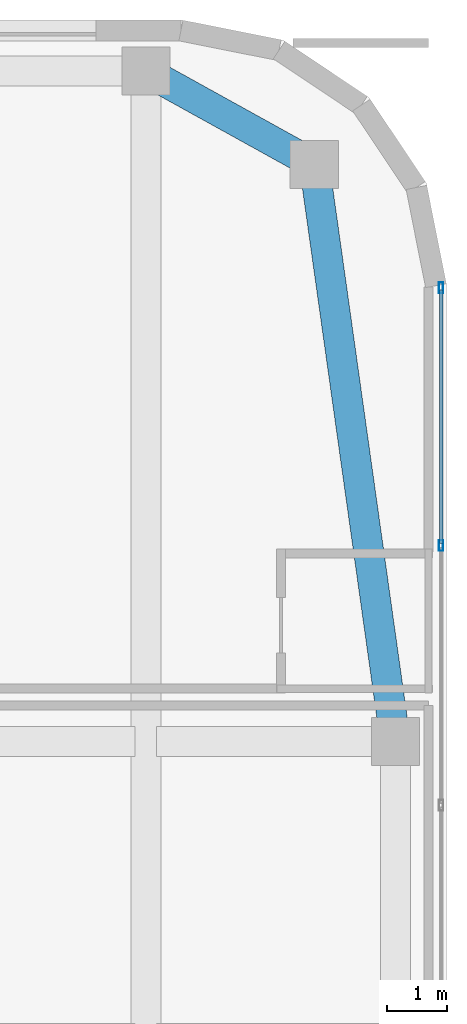
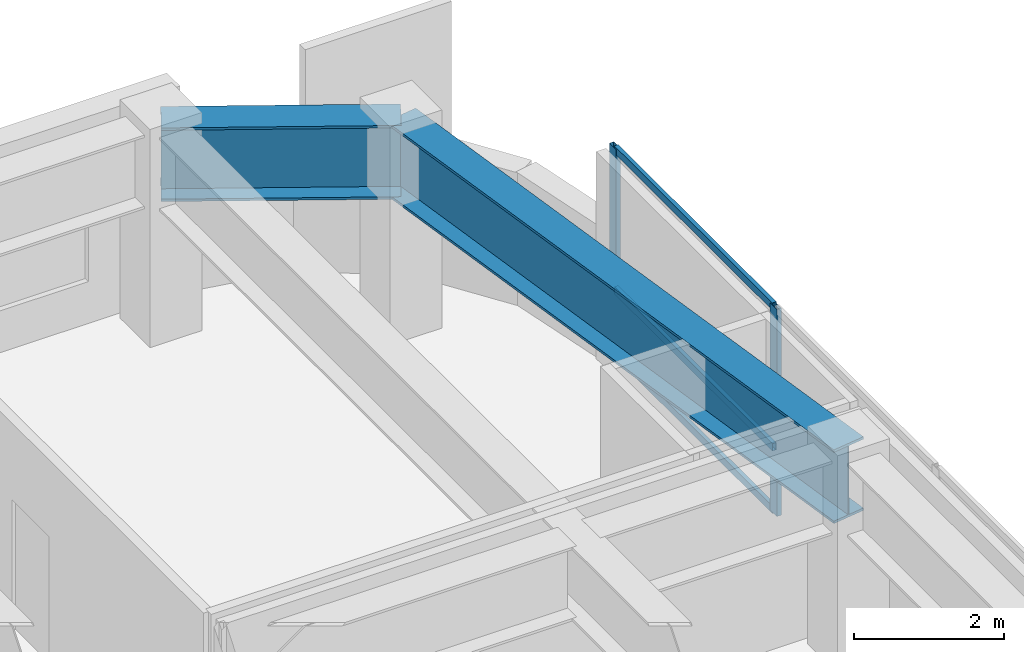
# One storey, part 10 of 20: 5 members, 2 beams, 1 element without a shape of its own.
"""IFC4 building model written with IfcOpenShell, lengths in metres."""

import ifcopenshell
import ifcopenshell.guid

model = None  # the IFC model being written
_history = None  # IfcOwnerHistory: only IFC2X3 demands one
_inside = {}  # id of a spatial element -> (the spatial element, [elements in it])
_under = {}  # id of a project, library or spatial element -> (it, [spatial elements below it])
_declared = {}  # id of a project -> (the project, [libraries it declares])
_typed = {}  # id of a type object -> (the type object, [elements of that type])
_made_of = {}  # id of a material, layer set ... -> (it, [elements and type objects made of it])


def new_model(schema):
    """Start an empty IFC model of exactly this schema.

    Asked for "IFC4X3", IfcOpenShell would pick the latest addendum, in which some entities
    have other attributes; the version numbers below select the first issue.
    IFC2X3 requires an IfcOwnerHistory on every rooted entity: one is made here for all.
    """
    global model, _history
    if schema == "IFC4X3":
        model = ifcopenshell.file(schema_version=(4, 3, 0, 0))
    else:
        model = ifcopenshell.file(schema=schema)
    _inside.clear()
    _under.clear()
    _declared.clear()
    _typed.clear()
    _made_of.clear()
    _history = None
    if model.schema == "IFC2X3":
        org = make("IfcOrganization", Name="unknown")
        user = make(
            "IfcPersonAndOrganization",
            ThePerson=make("IfcPerson", FamilyName="unknown"),
            TheOrganization=org,
        )
        app = make(
            "IfcApplication",
            ApplicationDeveloper=org,
            Version="unknown",
            ApplicationFullName="unknown",
            ApplicationIdentifier="unknown",
        )
        _history = make(
            "IfcOwnerHistory",
            OwningUser=user,
            OwningApplication=app,
            ChangeAction="ADDED",
            CreationDate=0,
        )
    return model


def make(cls, **values):
    """One entity of the class cls with the attributes given. An attribute that is None is left unset."""
    return model.create_entity(
        cls, **{name: value for name, value in values.items() if value is not None}
    )


def rooted(cls, **values):
    """An entity with a GlobalId (a new one), such as an element, a storey or a relation."""
    return make(cls, GlobalId=ifcopenshell.guid.new(), OwnerHistory=_history, **values)


def si_unit(unit_type, name, prefix=None):
    """IfcSIUnit, for example si_unit("LENGTHUNIT", "METRE", prefix="MILLI")."""
    return make("IfcSIUnit", UnitType=unit_type, Prefix=prefix, Name=name)


def assignment(units):
    """IfcUnitAssignment: the units of a project."""
    return None if units is None else make("IfcUnitAssignment", Units=units)


def point(xyz):
    """IfcCartesianPoint."""
    return None if xyz is None else make("IfcCartesianPoint", Coordinates=xyz)


def direction(xyz):
    """IfcDirection."""
    return None if xyz is None else make("IfcDirection", DirectionRatios=xyz)


def frame(location, z_axis=None, x_axis=None):
    """IfcAxis2Placement3D, a coordinate frame: its origin and axes. An axis left out is left unset."""
    return make(
        "IfcAxis2Placement3D",
        Location=point(location),
        Axis=direction(z_axis),
        RefDirection=direction(x_axis),
    )


def frame_2d(location, x_axis=None):
    """IfcAxis2Placement2D, a coordinate frame in the plane: its origin and x axis."""
    return make(
        "IfcAxis2Placement2D", Location=point(location), RefDirection=direction(x_axis)
    )


def origin():
    """The frame at (0, 0, 0) with its axes left unset."""
    return frame((0.0, 0.0, 0.0))


def origin_2d():
    """The frame at (0, 0) in the plane with its x axis left unset."""
    return frame_2d((0.0, 0.0))


def place(relative_to, where):
    """IfcLocalPlacement: puts the frame where relative to a parent placement (None: the world)."""
    return make(
        "IfcLocalPlacement", PlacementRelTo=relative_to, RelativePlacement=where
    )


def context(
    kind, dimensions, precision=None, world=None, true_north=None, identifier=None
):
    """IfcGeometricRepresentationContext, for example the 3D "Model" context."""
    return make(
        "IfcGeometricRepresentationContext",
        ContextIdentifier=identifier,
        ContextType=kind,
        CoordinateSpaceDimension=dimensions,
        Precision=precision,
        WorldCoordinateSystem=world,
        TrueNorth=true_north,
    )


def subcontext(parent, identifier, kind, view, scale=None):
    """IfcGeometricRepresentationSubContext, for example "Body" below "Model"."""
    return make(
        "IfcGeometricRepresentationSubContext",
        ContextIdentifier=identifier,
        ContextType=kind,
        ParentContext=parent,
        TargetScale=scale,
        TargetView=view,
    )


def project(units=None, contexts=None):
    """IfcProject with its units and contexts."""
    return rooted(
        "IfcProject",
        Name="project",
        RepresentationContexts=contexts,
        UnitsInContext=assignment(units),
    )


def spatial(cls, under=None, at=None, **own):
    """A site, building, storey or space (cls), placed at a placement, below another one or the project."""
    s = rooted(cls, ObjectPlacement=at, **own)
    if under is not None:
        _under.setdefault(under.id(), (under, []))[1].append(s)
    return s


def profile(cls, at=None, kind="AREA", **sizes):
    """A parametric profile (cls). Its sizes go by their IFC names, for example OverallWidth=200.0."""
    return make(cls, ProfileType=kind, Position=at, **sizes)


def hollow_rectangle(**sizes):
    """IfcRectangleHollowProfileDef."""
    return profile("IfcRectangleHollowProfileDef", **sizes)


def i_section(**sizes):
    """IfcIShapeProfileDef."""
    return profile("IfcIShapeProfileDef", **sizes)


def extrude(swept, where, along, depth):
    """IfcExtrudedAreaSolid: the profile swept, set in the frame where, extruded along a direction by depth."""
    return make(
        "IfcExtrudedAreaSolid",
        SweptArea=swept,
        Position=where,
        ExtrudedDirection=direction(along),
        Depth=depth,
    )


def shape(context_of_items, identifier, shape_type, items):
    """IfcShapeRepresentation: the items that make up one representation, for example the "Body"."""
    return make(
        "IfcShapeRepresentation",
        ContextOfItems=context_of_items,
        RepresentationIdentifier=identifier,
        RepresentationType=shape_type,
        Items=items,
    )


def source(mapping_origin, context_of_items, identifier, shape_type, items):
    """IfcRepresentationMap: a shape defined once, which mapped items show again and again."""
    return make(
        "IfcRepresentationMap",
        MappingOrigin=mapping_origin,
        MappedRepresentation=shape(context_of_items, identifier, shape_type, items),
    )


def transform(
    local_origin,
    x_axis=None,
    y_axis=None,
    z_axis=None,
    scale=None,
    scale2=None,
    scale3=None,
    uniform=True,
):
    """IfcCartesianTransformationOperator3D, or its non-uniform kind. x_axis, y_axis, z_axis: its Axis1, 2, 3."""
    if uniform:
        return make(
            "IfcCartesianTransformationOperator3D",
            Axis1=direction(x_axis),
            Axis2=direction(y_axis),
            LocalOrigin=point(local_origin),
            Scale=scale,
            Axis3=direction(z_axis),
        )
    return make(
        "IfcCartesianTransformationOperator3DnonUniform",
        Axis1=direction(x_axis),
        Axis2=direction(y_axis),
        LocalOrigin=point(local_origin),
        Scale=scale,
        Axis3=direction(z_axis),
        Scale2=scale2,
        Scale3=scale3,
    )


def mapped(mapping_source, mapping_target):
    """IfcMappedItem: shows the shape of a source again, moved by a transform."""
    return make(
        "IfcMappedItem", MappingSource=mapping_source, MappingTarget=mapping_target
    )


def material(Name=None, Category=None):
    """IfcMaterial."""
    return make("IfcMaterial", Name=Name, Category=Category)


def layer(
    of_material, thickness, ventilated=None, Name=None, Category=None, Priority=None
):
    """IfcMaterialLayer: one layer of a wall or slab, of a material (None: an air gap)."""
    return make(
        "IfcMaterialLayer",
        Material=of_material,
        LayerThickness=thickness,
        IsVentilated=ventilated,
        Name=Name,
        Category=Category,
        Priority=Priority,
    )


def layer_set(layers, Name=None):
    """IfcMaterialLayerSet."""
    return make("IfcMaterialLayerSet", MaterialLayers=layers, LayerSetName=Name)


def material_profile(
    of_material, cross_section, Name=None, Category=None, Priority=None
):
    """IfcMaterialProfile: a cross section and its material."""
    return make(
        "IfcMaterialProfile",
        Name=Name,
        Material=of_material,
        Profile=cross_section,
        Priority=Priority,
        Category=Category,
    )


def profile_set(profiles, Name=None, composite=None):
    """IfcMaterialProfileSet."""
    return make(
        "IfcMaterialProfileSet",
        Name=Name,
        MaterialProfiles=profiles,
        CompositeProfile=composite,
    )


def made_of(thing, what):
    """Note that an element or type object is made of a material, layer set ...; save() writes the relation."""
    if what is not None:
        _made_of.setdefault(what.id(), (what, []))[1].append(thing)
    return thing


def type_object(cls, material=None, **own):
    """A type object (cls), such as IfcWallType, which elements share."""
    return made_of(rooted(cls, **own), material)


def type_shapes(of_type, sources):
    """Give a type object the sources (RepresentationMaps) that its elements show as mapped items."""
    of_type.RepresentationMaps = sources


def element(
    cls,
    number,
    at=None,
    inside=None,
    cuts=None,
    type_object=None,
    material=None,
    context=None,
    identifier="Body",
    shape_type=None,
    held_by="IfcProductDefinitionShape",
    body=None,
    shapes=None,
    **own,
):
    """One element of the class cls, such as IfcWall. Its Tag is "e" and its number.

    at: its placement. inside: the storey or other place that contains it. cuts: it is an
    opening in that element (IfcRelVoidsElement). A single representation is given by context,
    identifier, shape_type and body (its items); several are given by shapes. held_by: the class
    of the entity that holds the representations. save() writes the other relations.
    """
    e = rooted(cls, Tag="e%d" % number, ObjectPlacement=at, **own)
    if body is not None:
        shapes = [shape(context, identifier, shape_type, body)]
    if shapes is not None:
        e.Representation = make(held_by, Representations=shapes)
    if inside is not None:
        _inside.setdefault(inside.id(), (inside, []))[1].append(e)
    if cuts is not None:
        rooted(
            "IfcRelVoidsElement", RelatingBuildingElement=cuts, RelatedOpeningElement=e
        )
    if type_object is not None:
        _typed.setdefault(type_object.id(), (type_object, []))[1].append(e)
    return made_of(e, material)


def aggregate(whole, parts):
    """IfcRelAggregates: a whole, such as a stair, and the parts it consists of."""
    return rooted("IfcRelAggregates", RelatingObject=whole, RelatedObjects=parts)


def save(model, path):
    """Write the relations noted so far, then the file.

    IfcRelAggregates (storeys below a building ...), IfcRelContainedInSpatialStructure (elements
    in a storey), IfcRelDefinesByType, IfcRelAssociatesMaterial and IfcRelDeclares: one each for
    every whole, place, type object, material and project.
    """
    for whole, parts in _under.values():
        aggregate(whole, parts)
    for where, things in _inside.values():
        rooted(
            "IfcRelContainedInSpatialStructure",
            RelatedElements=things,
            RelatingStructure=where,
        )
    for kind, things in _typed.values():
        rooted("IfcRelDefinesByType", RelatedObjects=things, RelatingType=kind)
    for what, things in _made_of.values():
        rooted("IfcRelAssociatesMaterial", RelatedObjects=things, RelatingMaterial=what)
    for by, libraries in _declared.values():
        rooted("IfcRelDeclares", RelatingContext=by, RelatedDefinitions=libraries)
    model.write(path)


model = new_model("IFC4")

# Units and contexts
model_context = context("Model", 3, precision=1e-05, world=origin(), true_north=direction((0.0, 1.0)))
body_context = subcontext(model_context, "Body", "Model", "MODEL_VIEW")
ifc_project = project(units=[si_unit("LENGTHUNIT", "METRE"), si_unit("AREAUNIT", "SQUARE_METRE"), si_unit("VOLUMEUNIT", "CUBIC_METRE"), si_unit("PLANEANGLEUNIT", "RADIAN"), si_unit("MASSUNIT", "GRAM", prefix="KILO")], contexts=[model_context])

# Site, building, storey
site_placement = place(None, origin())
site = spatial("IfcSite", under=ifc_project, at=site_placement, CompositionType="ELEMENT")
building_placement = place(site_placement, origin())
building = spatial("IfcBuilding", under=site, at=building_placement, Name="Tolvann Quenvar Hotel", CompositionType="ELEMENT")
storey_placement = place(building_placement, frame((0.0, 0.0, 171.89990234375)))
storey = spatial("IfcBuildingStorey", under=building, at=storey_placement, Name="L45", CompositionType="ELEMENT", Elevation=171.89990234375)

# Beams
ifc_material_1 = material(Name="Steel Grade 350", Category="steel")
ifc_material_profile_1 = material_profile(ifc_material_1, i_section(OverallWidth=0.5, OverallDepth=1.199951171875, WebThickness=0.01611328125, FlangeThickness=0.0400390625, at=origin_2d()), Name="1200WB455")
ifc_profile_set_1 = profile_set([ifc_material_profile_1], Name="Steel Grade 350")
beam_type = type_object("IfcBeamType", Name="BM_TG_1200WB455", PredefinedType="USERDEFINED", material=ifc_profile_set_1)
shared_shape_1 = source(origin(), body_context, "Body", "SweptSolid", [
    extrude(i_section(OverallWidth=0.5, OverallDepth=1.199951171875, WebThickness=0.01611328125, FlangeThickness=0.0400390625, at=origin_2d()), origin(), (0.0, 0.0, 1.0), 9.694580078125),
])
beam_1_placement = place(storey_placement, frame((53.550048828125, 34.0, 2.77001953125), z_axis=(-0.139263320262, 0.990255385055, 0.0), x_axis=(-0.990255385055, -0.139263320262, 0.0)))
element("IfcBeam", 1, at=beam_1_placement, inside=storey, type_object=beam_type, Name="BM-L45-FLK-E2", ObjectType="TRANSFER GIRDER", PredefinedType="USERDEFINED", context=body_context, shape_type="MappedRepresentation", body=[
    mapped(shared_shape_1, transform((0.0, 0.0, 0.0), x_axis=(1.0, 0.0, 0.0), y_axis=(0.0, 1.0, 0.0), z_axis=(0.0, 0.0, 1.0), scale=1.0)),
])
shared_shape_2 = source(origin(), body_context, "Body", "SweptSolid", [
    extrude(i_section(OverallWidth=0.5, OverallDepth=1.199951171875, WebThickness=0.01611328125, FlangeThickness=0.0400390625, at=origin_2d()), origin(), (0.0, 0.0, 1.0), 3.200439453125),
])
type_shapes(beam_type, [shared_shape_1, shared_shape_2])
beam_2_placement = place(storey_placement, frame((52.199951171875, 43.60009765625, 2.77001953125), z_axis=(-0.87492264453, 0.48426270359, 0.0), x_axis=(-0.48426270359, -0.87492264453, 0.0)))
element("IfcBeam", 2, at=beam_2_placement, inside=storey, type_object=beam_type, Name="BM-L45-FLK-E3", ObjectType="TRANSFER GIRDER", PredefinedType="USERDEFINED", context=body_context, shape_type="MappedRepresentation", body=[
    mapped(shared_shape_2, transform((0.0, 0.0, 0.0), x_axis=(1.0, 0.0, 0.0), y_axis=(0.0, 1.0, 0.0), z_axis=(0.0, 0.0, 1.0), scale=1.0)),
])

# Curtain wall, members
ifc_material_2 = material(Name="Thermally broken anodised architectural aluminium 6063-T6 and laminated low-E glass", Category="aluminium")
ifc_layer = layer(ifc_material_2, 0.179931640625)
ifc_layer_set = layer_set([ifc_layer], Name="Thermally broken anodised architectural aluminium 6063-T6 and laminated low-E glass")
curtain_wall_type = type_object("IfcCurtainWallType", Name="CW_SYS_BAND_04", PredefinedType="USERDEFINED", material=ifc_layer_set)
curtain_wall_placement = place(storey_placement, origin())
curtain_wall = element("IfcCurtainWall", 3, at=curtain_wall_placement, inside=storey, type_object=curtain_wall_type, Name="Curtain Wall CW-BAND-04 (CWR-L45-E13)", ObjectType="UNITISED CURTAIN WALL", PredefinedType="USERDEFINED")
ifc_material_3 = material(Name="Anodised architectural aluminium 6063-T6 framing", Category="aluminium")
ifc_material_profile_2 = material_profile(ifc_material_3, hollow_rectangle(XDim=0.070068359375, YDim=0.179931640625, WallThickness=0.00390625, at=origin_2d()), Name="180x70x4RHS")
ifc_profile_set_2 = profile_set([ifc_material_profile_2], Name="Anodised architectural aluminium 6063-T6 framing")
member_type_1 = type_object("IfcMemberType", Name="CW_MULL_180x70", PredefinedType="MULLION", material=ifc_profile_set_2)
shared_shape_3 = source(origin(), body_context, "Body", "SweptSolid", [
    extrude(hollow_rectangle(XDim=0.070068359375, YDim=0.179931640625, WallThickness=0.00390625, at=origin_2d()), origin(), (0.0, 0.0, 1.0), 3.3701171875),
])
type_shapes(member_type_1, [shared_shape_3])
member_1_placement = place(storey_placement, frame((54.31005859375, 37.26220703125, 0.0), z_axis=(0.0, 0.0, 1.0), x_axis=(-1.0, 0.0, 0.0)))
member_1 = element("IfcMember", 4, at=member_1_placement, type_object=member_type_1, Name="CW-BAND-04 mullion 8", PredefinedType="MULLION", context=body_context, shape_type="MappedRepresentation", body=[
    mapped(shared_shape_3, transform((0.0, 0.0, 0.0), x_axis=(1.0, 0.0, 0.0), y_axis=(0.0, 1.0, 0.0), z_axis=(0.0, 0.0, 1.0), scale=1.0)),
])
member_2_placement = place(storey_placement, frame((54.31005859375, 41.5478515625, 0.0), z_axis=(0.0, 0.0, 1.0), x_axis=(-1.0, 0.0, 0.0)))
member_2 = element("IfcMember", 5, at=member_2_placement, type_object=member_type_1, Name="CW-BAND-04 mullion 9", PredefinedType="MULLION", context=body_context, shape_type="MappedRepresentation", body=[
    mapped(shared_shape_3, transform((0.0, 0.0, 0.0), x_axis=(1.0, 0.0, 0.0), y_axis=(0.0, 1.0, 0.0), z_axis=(0.0, 0.0, 1.0), scale=1.0)),
])
ifc_material_profile_3 = material_profile(ifc_material_3, hollow_rectangle(XDim=0.06005859375, YDim=0.1201171875, WallThickness=0.00341796875, at=origin_2d()), Name="120x60x3.5RHS")
ifc_profile_set_3 = profile_set([ifc_material_profile_3], Name="Anodised architectural aluminium 6063-T6 framing")
member_type_2 = type_object("IfcMemberType", Name="CW_TRAN_120x60", PredefinedType="USERDEFINED", material=ifc_profile_set_3)
shared_shape_4 = source(origin(), body_context, "Body", "SweptSolid", [
    extrude(hollow_rectangle(XDim=0.06005859375, YDim=0.1201171875, WallThickness=0.00341796875, at=origin_2d()), origin(), (0.0, 0.0, 1.0), 4.215576171875),
])
type_shapes(member_type_2, [shared_shape_4])
member_3_placement = place(storey_placement, frame((54.31005859375, 37.297119140625, 0.030029296875), z_axis=(0.0, 1.0, 0.0), x_axis=(-1.0, 0.0, 0.0)))
member_3 = element("IfcMember", 6, at=member_3_placement, type_object=member_type_2, Name="CW-BAND-04 transom 8.1", ObjectType="TRANSOM", PredefinedType="USERDEFINED", context=body_context, shape_type="MappedRepresentation", body=[
    mapped(shared_shape_4, transform((0.0, 0.0, 0.0), x_axis=(1.0, 0.0, 0.0), y_axis=(0.0, 1.0, 0.0), z_axis=(0.0, 0.0, 1.0), scale=1.0)),
])
member_4_placement = place(storey_placement, frame((54.31005859375, 37.297119140625, 1.050048828125), z_axis=(0.0, 1.0, 0.0), x_axis=(-1.0, 0.0, 0.0)))
member_4 = element("IfcMember", 7, at=member_4_placement, type_object=member_type_2, Name="CW-BAND-04 transom 8.2", ObjectType="TRANSOM", PredefinedType="USERDEFINED", context=body_context, shape_type="MappedRepresentation", body=[
    mapped(shared_shape_4, transform((0.0, 0.0, 0.0), x_axis=(1.0, 0.0, 0.0), y_axis=(0.0, 1.0, 0.0), z_axis=(0.0, 0.0, 1.0), scale=1.0)),
])
member_5_placement = place(storey_placement, frame((54.31005859375, 37.297119140625, 3.340087890625), z_axis=(0.0, 1.0, 0.0), x_axis=(-1.0, 0.0, 0.0)))
member_5 = element("IfcMember", 8, at=member_5_placement, type_object=member_type_2, Name="CW-BAND-04 transom 8.3", ObjectType="TRANSOM", PredefinedType="USERDEFINED", context=body_context, shape_type="MappedRepresentation", body=[
    mapped(shared_shape_4, transform((0.0, 0.0, 0.0), x_axis=(1.0, 0.0, 0.0), y_axis=(0.0, 1.0, 0.0), z_axis=(0.0, 0.0, 1.0), scale=1.0)),
])
aggregate(curtain_wall, [member_1, member_2, member_3, member_4, member_5])

save(model, "model.ifc")
